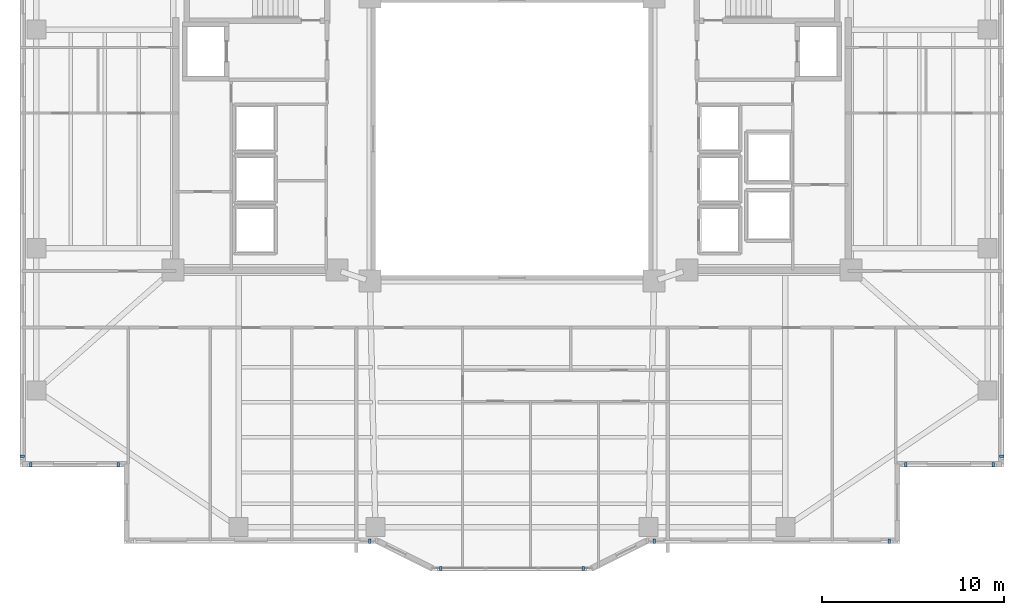
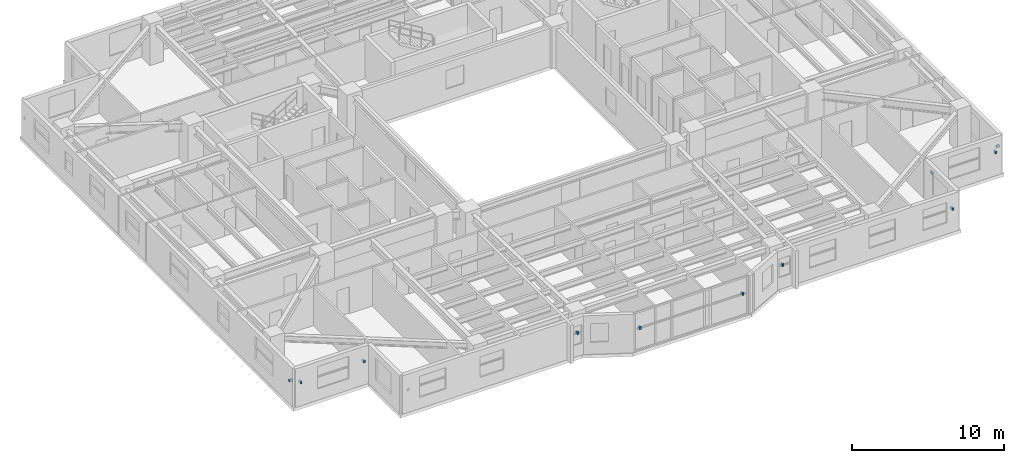
# One storey, part 12 of 18: 11 discrete accessories.
"""IFC4 building model written with IfcOpenShell, lengths in metres."""

from ifc_helpers import new_model, si_unit, direction, frame, origin, origin_2d, place, context, subcontext, project, spatial, rectangle, extrude, material, type_object, element, save


model = new_model("IFC4")

# Units and contexts
model_context = context("Model", 3, precision=1e-05, world=origin(), true_north=direction((0.0, 1.0)))
body_context = subcontext(model_context, "Body", "Model", "MODEL_VIEW")
ifc_project = project(units=[si_unit("LENGTHUNIT", "METRE"), si_unit("AREAUNIT", "SQUARE_METRE"), si_unit("VOLUMEUNIT", "CUBIC_METRE"), si_unit("PLANEANGLEUNIT", "RADIAN"), si_unit("MASSUNIT", "GRAM", prefix="KILO")], contexts=[model_context])

# Site, building, storey
site_placement = place(None, origin())
site = spatial("IfcSite", under=ifc_project, at=site_placement, CompositionType="ELEMENT")
building_placement = place(site_placement, origin())
building = spatial("IfcBuilding", under=site, at=building_placement, Name="Tarnavaz Court Tower", CompositionType="ELEMENT")
storey_placement = place(building_placement, frame((0.0, 0.0, 91.699951171875)))
storey = spatial("IfcBuildingStorey", under=building, at=storey_placement, Name="L24", CompositionType="ELEMENT", Elevation=91.699951171875)

# Discrete accessories
ifc_material = material(Name="Anodised Aluminium 6063-T6", Category="aluminium")
discrete_accessory_type = type_object("IfcDiscreteAccessoryType", Name="DA-BRKT-ALU", PredefinedType="BRACKET", material=ifc_material)
for number, where, z_axis, x_axis, name in (
    (1, (-21.60009765625, -17.8701171875, 1.75), (0.0, 0.0, 1.0), (-1.0, 0.0, 0.0), "L24 Baguette Outrigger Bracket FBG01-1"),
    (2, (-26.39990234375, -17.8701171875, 1.75), (0.0, 0.0, 1.0), (-1.0, 0.0, 0.0), "L24 Baguette Outrigger Bracket FBG01-2"),
    (3, (-26.8701171875, -17.39990234375, 1.75), (0.0, 0.0, 1.0), (0.0, 1.0, 0.0), "L24 Baguette Outrigger Bracket FBG02-1"),
    (4, (26.8701171875, -17.39990234375, 1.75), (0.0, 0.0, 1.0), (0.0, -1.0, 0.0), "L24 Baguette Outrigger Bracket FBG12-2"),
    (5, (26.39990234375, -17.8701171875, 1.75), (0.0, 0.0, 1.0), (-1.0, 0.0, 0.0), "L24 Baguette Outrigger Bracket FBG13-1"),
    (6, (21.60009765625, -17.8701171875, 1.75), (0.0, 0.0, 1.0), (-1.0, 0.0, 0.0), "L24 Baguette Outrigger Bracket FBG13-2"),
    (7, (20.699951171875, -22.070068359375, 1.75), (0.0, 0.0, 1.0), (-1.0, 0.0, 0.0), "L24 Baguette Outrigger Bracket FBG15-1"),
    (8, (7.800048828125, -22.070068359375, 1.75), (0.0, 0.0, 1.0), (-1.0, 0.0, 0.0), "L24 Baguette Outrigger Bracket FBG15-2"),
    (9, (3.89990234375, -23.570068359375, 1.7001953125), (0.0, 0.0, 1.0), (-1.0, 0.0, 0.0), "L24 Baguette Outrigger Bracket PBG17-1"),
    (10, (-3.89990234375, -23.570068359375, 1.7001953125), (0.0, 0.0, 1.0), (-1.0, 0.0, 0.0), "L24 Baguette Outrigger Bracket PBG17-2"),
    (11, (-7.800048828125, -22.070068359375, 1.75), (0.0, 0.0, 1.0), (-1.0, 0.0, 0.0), "L24 Baguette Outrigger Bracket FBG19-1"),
):
    element("IfcDiscreteAccessory", number, at=place(storey_placement, frame(where, z_axis=z_axis, x_axis=x_axis)), inside=storey, type_object=discrete_accessory_type, Name=name, PredefinedType="BRACKET", context=body_context, shape_type="SweptSolid", body=[
        extrude(rectangle(XDim=0.139892578125, YDim=0.239990234375, at=origin_2d()), origin(), (0.0, 0.0, 1.0), 0.199951171875),
    ])

save(model, "model.ifc")
